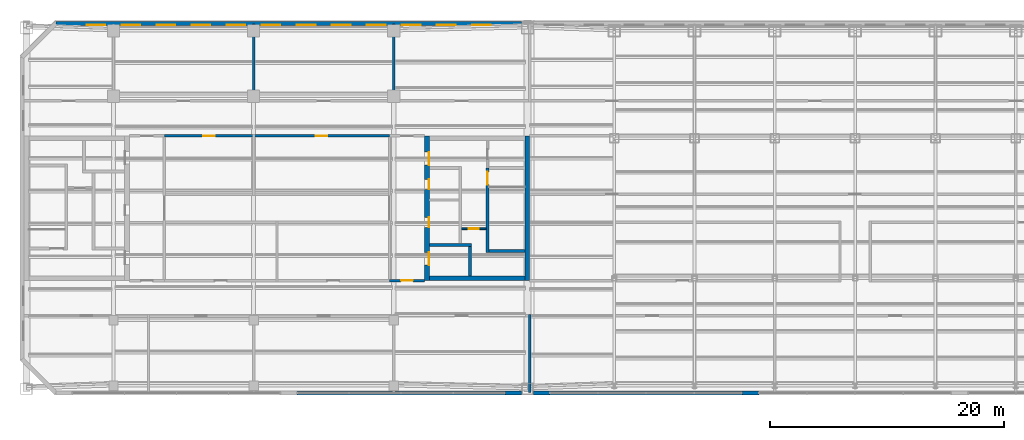
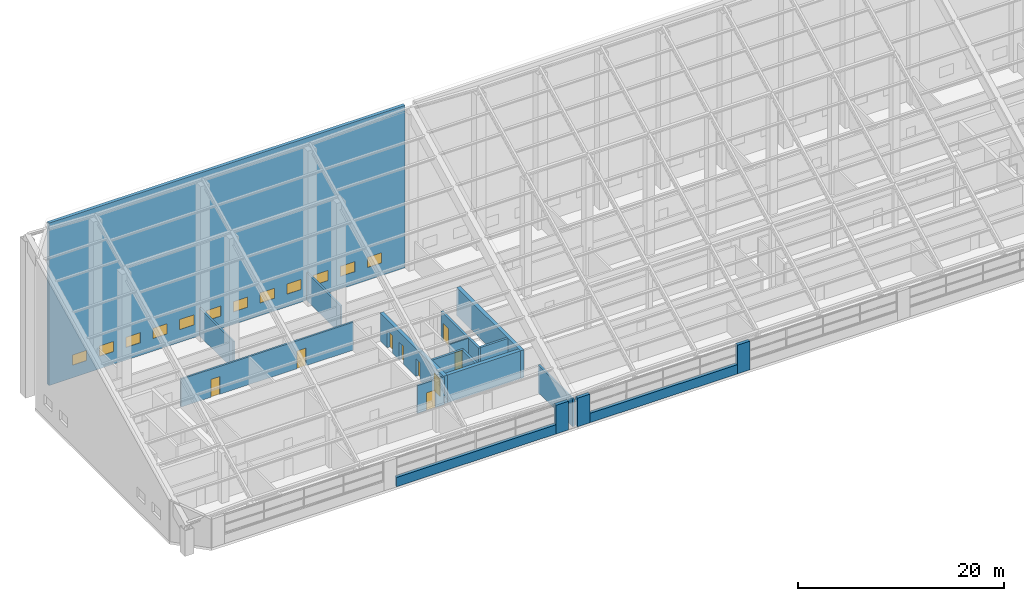
# One storey, part 20 of 28: 19 walls, 12 windows, 9 doors, 21 openings.
"""IFC4 building model written with IfcOpenShell, lengths in metres."""

from ifc_helpers import new_model, si_unit, direction, frame, frame_2d, origin, place, context, subcontext, project, spatial, rectangle, extrude, material, layer, layer_set, type_object, element, fill, save


model = new_model("IFC4")

# Units and contexts
model_context = context("Model", 3, precision=1e-05, world=origin(), true_north=direction((0.0, 1.0)))
body_context = subcontext(model_context, "Body", "Model", "MODEL_VIEW")
ifc_project = project(units=[si_unit("LENGTHUNIT", "METRE"), si_unit("AREAUNIT", "SQUARE_METRE"), si_unit("VOLUMEUNIT", "CUBIC_METRE"), si_unit("PLANEANGLEUNIT", "RADIAN"), si_unit("MASSUNIT", "GRAM", prefix="KILO")], contexts=[model_context])

# Site, building, storey
site_placement = place(None, origin())
site = spatial("IfcSite", under=ifc_project, at=site_placement, CompositionType="ELEMENT")
building_placement = place(site_placement, origin())
building = spatial("IfcBuilding", under=site, at=building_placement, Name="Tuart Gate Housing", CompositionType="ELEMENT")
storey_placement = place(building_placement, frame((0.0, 0.0, 243.89990234375)))
storey = spatial("IfcBuildingStorey", under=building, at=storey_placement, Name="L68", CompositionType="ELEMENT", Elevation=243.89990234375)

# Walls
ifc_material_1 = material(Name="Brick", Category="masonry")
ifc_layer_1 = layer(ifc_material_1, 0.360107421875)
ifc_layer_set_1 = layer_set([ifc_layer_1], Name="Brick pier and spandrel wall 360")
wall_type_1 = type_object("IfcWallType", Name="Brick pier and spandrel wall 360", PredefinedType="STANDARD", material=ifc_layer_set_1)
wall_1_placement = place(storey_placement, frame((55.71240234375, 54.179931640625, 0.0), z_axis=(0.0, 0.0, 1.0), x_axis=(1.0, 0.0, 0.0)))
element("IfcWall", 1, at=wall_1_placement, inside=storey, type_object=wall_type_1, Name="Crown sill wall 2", PredefinedType="STANDARD", context=body_context, shape_type="SweptSolid", body=[
    extrude(rectangle(XDim=17.837646484375, YDim=0.360107421875, at=frame_2d((8.9189453125, 0.0))), origin(), (0.0, 0.0, 1.0), 1.10009765625),
])
wall_2_placement = place(storey_placement, frame((73.550048828125, 54.179931640625, 0.0), z_axis=(0.0, 0.0, 1.0), x_axis=(1.0, 0.0, 0.0)))
element("IfcWall", 2, at=wall_2_placement, inside=storey, type_object=wall_type_1, Name="Crown pier 3", PredefinedType="STANDARD", context=body_context, shape_type="SweptSolid", body=[
    extrude(rectangle(XDim=1.39990234375, YDim=0.360107421875, at=frame_2d((0.699951171875, 0.0))), origin(), (0.0, 0.0, 1.0), 3.39013671875),
])
wall_3_placement = place(storey_placement, frame((75.949951171875, 54.179931640625, 0.0), z_axis=(0.0, 0.0, 1.0), x_axis=(1.0, 0.0, 0.0)))
element("IfcWall", 3, at=wall_3_placement, inside=storey, type_object=wall_type_1, Name="Crown pier 1", PredefinedType="STANDARD", context=body_context, shape_type="SweptSolid", body=[
    extrude(rectangle(XDim=1.400146484375, YDim=0.360107421875, at=frame_2d((0.7001953125, 0.0))), origin(), (0.0, 0.0, 1.0), 3.39013671875),
])
wall_4_placement = place(storey_placement, frame((77.35009765625, 54.179931640625, 0.0), z_axis=(0.0, 0.0, 1.0), x_axis=(1.0, 0.0, 0.0)))
element("IfcWall", 4, at=wall_4_placement, inside=storey, type_object=wall_type_1, Name="Crown sill wall 1", PredefinedType="STANDARD", context=body_context, shape_type="SweptSolid", body=[
    extrude(rectangle(XDim=16.5, YDim=0.360107421875, at=frame_2d((8.25, 0.0))), origin(), (0.0, 0.0, 1.0), 1.10009765625),
])
wall_5_placement = place(storey_placement, frame((93.85009765625, 54.179931640625, 0.0), z_axis=(0.0, 0.0, 1.0), x_axis=(1.0, 0.0, 0.0)))
element("IfcWall", 5, at=wall_5_placement, inside=storey, type_object=wall_type_1, Name="Crown pier 2", PredefinedType="STANDARD", context=body_context, shape_type="SweptSolid", body=[
    extrude(rectangle(XDim=1.39990234375, YDim=0.360107421875, at=frame_2d((0.699951171875, 0.0))), origin(), (0.0, 0.0, 1.0), 3.39013671875),
])

# Wall, openings, windows
wall_6_placement = place(storey_placement, frame((74.925048828125, 85.820068359375, 0.0), z_axis=(0.0, 0.0, 1.0), x_axis=(-1.0, 0.0, 0.0)))
wall_6 = element("IfcWall", 6, at=wall_6_placement, inside=storey, type_object=wall_type_1, Name="Crown cladding wall BLK-N", PredefinedType="STANDARD", context=body_context, shape_type="SweptSolid", body=[
    extrude(rectangle(XDim=39.8505859375, YDim=0.360107421875, at=frame_2d((19.92529296875, 0.0))), origin(), (0.0, 0.0, 1.0), 19.210205078125),
])
opening_1_placement = place(wall_6_placement, frame((35.625, 0.0, 1.5)))
opening_1 = element("IfcOpeningElement", 7, at=opening_1_placement, cuts=wall_6, Name="Opening W3", PredefinedType="OPENING", context=body_context, shape_type="SweptSolid", body=[
    extrude(rectangle(XDim=1.60009765625, YDim=1.199951171875, at=frame_2d((0.800048828125, 0.60009765625))), frame((0.0, 0.18994140625, 0.0), z_axis=(0.0, -1.0, 0.0), x_axis=(1.0, 0.0, 0.0)), (0.0, 0.0, 1.0), 0.380126953125),
])
opening_2_placement = place(wall_6_placement, frame((32.625, 0.0, 1.5)))
opening_2 = element("IfcOpeningElement", 8, at=opening_2_placement, cuts=wall_6, Name="Opening W3", PredefinedType="OPENING", context=body_context, shape_type="SweptSolid", body=[
    extrude(rectangle(XDim=1.60009765625, YDim=1.199951171875, at=frame_2d((0.800048828125, 0.60009765625))), frame((0.0, 0.18994140625, 0.0), z_axis=(0.0, -1.0, 0.0), x_axis=(1.0, 0.0, 0.0)), (0.0, 0.0, 1.0), 0.380126953125),
])
opening_3_placement = place(wall_6_placement, frame((29.625, 0.0, 1.5)))
opening_3 = element("IfcOpeningElement", 9, at=opening_3_placement, cuts=wall_6, Name="Opening W3", PredefinedType="OPENING", context=body_context, shape_type="SweptSolid", body=[
    extrude(rectangle(XDim=1.60009765625, YDim=1.199951171875, at=frame_2d((0.800048828125, 0.60009765625))), frame((0.0, 0.18994140625, 0.0), z_axis=(0.0, -1.0, 0.0), x_axis=(1.0, 0.0, 0.0)), (0.0, 0.0, 1.0), 0.380126953125),
])
opening_4_placement = place(wall_6_placement, frame((26.625, 0.0, 1.5)))
opening_4 = element("IfcOpeningElement", 10, at=opening_4_placement, cuts=wall_6, Name="Opening W3", PredefinedType="OPENING", context=body_context, shape_type="SweptSolid", body=[
    extrude(rectangle(XDim=1.60009765625, YDim=1.199951171875, at=frame_2d((0.800048828125, 0.60009765625))), frame((0.0, 0.18994140625, 0.0), z_axis=(0.0, -1.0, 0.0), x_axis=(1.0, 0.0, 0.0)), (0.0, 0.0, 1.0), 0.380126953125),
])
opening_5_placement = place(wall_6_placement, frame((23.625, 0.0, 1.5)))
opening_5 = element("IfcOpeningElement", 11, at=opening_5_placement, cuts=wall_6, Name="Opening W3", PredefinedType="OPENING", context=body_context, shape_type="SweptSolid", body=[
    extrude(rectangle(XDim=1.60009765625, YDim=1.199951171875, at=frame_2d((0.800048828125, 0.60009765625))), frame((0.0, 0.18994140625, 0.0), z_axis=(0.0, -1.0, 0.0), x_axis=(1.0, 0.0, 0.0)), (0.0, 0.0, 1.0), 0.380126953125),
])
opening_6_placement = place(wall_6_placement, frame((20.625, 0.0, 1.5)))
opening_6 = element("IfcOpeningElement", 12, at=opening_6_placement, cuts=wall_6, Name="Opening W3", PredefinedType="OPENING", context=body_context, shape_type="SweptSolid", body=[
    extrude(rectangle(XDim=1.60009765625, YDim=1.199951171875, at=frame_2d((0.800048828125, 0.60009765625))), frame((0.0, 0.18994140625, 0.0), z_axis=(0.0, -1.0, 0.0), x_axis=(1.0, 0.0, 0.0)), (0.0, 0.0, 1.0), 0.380126953125),
])
opening_7_placement = place(wall_6_placement, frame((17.625, 0.0, 1.5)))
opening_7 = element("IfcOpeningElement", 13, at=opening_7_placement, cuts=wall_6, Name="Opening W3", PredefinedType="OPENING", context=body_context, shape_type="SweptSolid", body=[
    extrude(rectangle(XDim=1.60009765625, YDim=1.199951171875, at=frame_2d((0.800048828125, 0.60009765625))), frame((0.0, 0.18994140625, 0.0), z_axis=(0.0, -1.0, 0.0), x_axis=(1.0, 0.0, 0.0)), (0.0, 0.0, 1.0), 0.380126953125),
])
opening_8_placement = place(wall_6_placement, frame((14.625, 0.0, 1.5)))
opening_8 = element("IfcOpeningElement", 14, at=opening_8_placement, cuts=wall_6, Name="Opening W3", PredefinedType="OPENING", context=body_context, shape_type="SweptSolid", body=[
    extrude(rectangle(XDim=1.60009765625, YDim=1.199951171875, at=frame_2d((0.800048828125, 0.60009765625))), frame((0.0, 0.18994140625, 0.0), z_axis=(0.0, -1.0, 0.0), x_axis=(1.0, 0.0, 0.0)), (0.0, 0.0, 1.0), 0.380126953125),
])
opening_9_placement = place(wall_6_placement, frame((11.625, 0.0, 1.5)))
opening_9 = element("IfcOpeningElement", 15, at=opening_9_placement, cuts=wall_6, Name="Opening W3", PredefinedType="OPENING", context=body_context, shape_type="SweptSolid", body=[
    extrude(rectangle(XDim=1.60009765625, YDim=1.199951171875, at=frame_2d((0.800048828125, 0.60009765625))), frame((0.0, 0.18994140625, 0.0), z_axis=(0.0, -1.0, 0.0), x_axis=(1.0, 0.0, 0.0)), (0.0, 0.0, 1.0), 0.380126953125),
])
opening_10_placement = place(wall_6_placement, frame((8.625, 0.0, 1.5)))
opening_10 = element("IfcOpeningElement", 16, at=opening_10_placement, cuts=wall_6, Name="Opening W3", PredefinedType="OPENING", context=body_context, shape_type="SweptSolid", body=[
    extrude(rectangle(XDim=1.60009765625, YDim=1.199951171875, at=frame_2d((0.800048828125, 0.60009765625))), frame((0.0, 0.18994140625, 0.0), z_axis=(0.0, -1.0, 0.0), x_axis=(1.0, 0.0, 0.0)), (0.0, 0.0, 1.0), 0.380126953125),
])
opening_11_placement = place(wall_6_placement, frame((5.625, 0.0, 1.5)))
opening_11 = element("IfcOpeningElement", 17, at=opening_11_placement, cuts=wall_6, Name="Opening W3", PredefinedType="OPENING", context=body_context, shape_type="SweptSolid", body=[
    extrude(rectangle(XDim=1.60009765625, YDim=1.199951171875, at=frame_2d((0.800048828125, 0.60009765625))), frame((0.0, 0.18994140625, 0.0), z_axis=(0.0, -1.0, 0.0), x_axis=(1.0, 0.0, 0.0)), (0.0, 0.0, 1.0), 0.380126953125),
])
opening_12_placement = place(wall_6_placement, frame((2.625, 0.0, 1.5)))
opening_12 = element("IfcOpeningElement", 18, at=opening_12_placement, cuts=wall_6, Name="Opening W3", PredefinedType="OPENING", context=body_context, shape_type="SweptSolid", body=[
    extrude(rectangle(XDim=1.60009765625, YDim=1.199951171875, at=frame_2d((0.800048828125, 0.60009765625))), frame((0.0, 0.18994140625, 0.0), z_axis=(0.0, -1.0, 0.0), x_axis=(1.0, 0.0, 0.0)), (0.0, 0.0, 1.0), 0.380126953125),
])
ifc_material_2 = material(Name="Aluminium louvre blades", Category="aluminium")
window_type = type_object("IfcWindowType", Name="Louvre window 1600 x 1200", PartitioningType="DOUBLE_PANEL_HORIZONTAL", PredefinedType="WINDOW", material=ifc_material_2)
window_1_placement = place(opening_1_placement, origin())
window_1 = element("IfcWindow", 19, at=window_1_placement, inside=storey, type_object=window_type, Name="Louvre W3", OverallHeight=1.199951171875, OverallWidth=1.60009765625, PartitioningType="DOUBLE_PANEL_HORIZONTAL", PredefinedType="WINDOW", context=body_context, shape_type="SweptSolid", body=[
    extrude(rectangle(XDim=1.60009765625, YDim=1.199951171875, at=frame_2d((0.800048828125, 0.60009765625))), frame((0.0, 0.150146484375, 0.0), z_axis=(0.0, -1.0, 0.0), x_axis=(1.0, 0.0, 0.0)), (0.0, 0.0, 1.0), 0.06005859375),
])
fill(opening_1, window_1)
window_2_placement = place(opening_2_placement, origin())
window_2 = element("IfcWindow", 20, at=window_2_placement, inside=storey, type_object=window_type, Name="Louvre W3", OverallHeight=1.199951171875, OverallWidth=1.60009765625, PartitioningType="DOUBLE_PANEL_HORIZONTAL", PredefinedType="WINDOW", context=body_context, shape_type="SweptSolid", body=[
    extrude(rectangle(XDim=1.60009765625, YDim=1.199951171875, at=frame_2d((0.800048828125, 0.60009765625))), frame((0.0, 0.150146484375, 0.0), z_axis=(0.0, -1.0, 0.0), x_axis=(1.0, 0.0, 0.0)), (0.0, 0.0, 1.0), 0.06005859375),
])
fill(opening_2, window_2)
window_3_placement = place(opening_3_placement, origin())
window_3 = element("IfcWindow", 21, at=window_3_placement, inside=storey, type_object=window_type, Name="Louvre W3", OverallHeight=1.199951171875, OverallWidth=1.60009765625, PartitioningType="DOUBLE_PANEL_HORIZONTAL", PredefinedType="WINDOW", context=body_context, shape_type="SweptSolid", body=[
    extrude(rectangle(XDim=1.60009765625, YDim=1.199951171875, at=frame_2d((0.800048828125, 0.60009765625))), frame((0.0, 0.150146484375, 0.0), z_axis=(0.0, -1.0, 0.0), x_axis=(1.0, 0.0, 0.0)), (0.0, 0.0, 1.0), 0.06005859375),
])
fill(opening_3, window_3)
window_4_placement = place(opening_4_placement, origin())
window_4 = element("IfcWindow", 22, at=window_4_placement, inside=storey, type_object=window_type, Name="Louvre W3", OverallHeight=1.199951171875, OverallWidth=1.60009765625, PartitioningType="DOUBLE_PANEL_HORIZONTAL", PredefinedType="WINDOW", context=body_context, shape_type="SweptSolid", body=[
    extrude(rectangle(XDim=1.60009765625, YDim=1.199951171875, at=frame_2d((0.800048828125, 0.60009765625))), frame((0.0, 0.150146484375, 0.0), z_axis=(0.0, -1.0, 0.0), x_axis=(1.0, 0.0, 0.0)), (0.0, 0.0, 1.0), 0.06005859375),
])
fill(opening_4, window_4)
window_5_placement = place(opening_5_placement, origin())
window_5 = element("IfcWindow", 23, at=window_5_placement, inside=storey, type_object=window_type, Name="Louvre W3", OverallHeight=1.199951171875, OverallWidth=1.60009765625, PartitioningType="DOUBLE_PANEL_HORIZONTAL", PredefinedType="WINDOW", context=body_context, shape_type="SweptSolid", body=[
    extrude(rectangle(XDim=1.60009765625, YDim=1.199951171875, at=frame_2d((0.800048828125, 0.60009765625))), frame((0.0, 0.150146484375, 0.0), z_axis=(0.0, -1.0, 0.0), x_axis=(1.0, 0.0, 0.0)), (0.0, 0.0, 1.0), 0.06005859375),
])
fill(opening_5, window_5)
window_6_placement = place(opening_6_placement, origin())
window_6 = element("IfcWindow", 24, at=window_6_placement, inside=storey, type_object=window_type, Name="Louvre W3", OverallHeight=1.199951171875, OverallWidth=1.60009765625, PartitioningType="DOUBLE_PANEL_HORIZONTAL", PredefinedType="WINDOW", context=body_context, shape_type="SweptSolid", body=[
    extrude(rectangle(XDim=1.60009765625, YDim=1.199951171875, at=frame_2d((0.800048828125, 0.60009765625))), frame((0.0, 0.150146484375, 0.0), z_axis=(0.0, -1.0, 0.0), x_axis=(1.0, 0.0, 0.0)), (0.0, 0.0, 1.0), 0.06005859375),
])
fill(opening_6, window_6)
window_7_placement = place(opening_7_placement, origin())
window_7 = element("IfcWindow", 25, at=window_7_placement, inside=storey, type_object=window_type, Name="Louvre W3", OverallHeight=1.199951171875, OverallWidth=1.60009765625, PartitioningType="DOUBLE_PANEL_HORIZONTAL", PredefinedType="WINDOW", context=body_context, shape_type="SweptSolid", body=[
    extrude(rectangle(XDim=1.60009765625, YDim=1.199951171875, at=frame_2d((0.800048828125, 0.60009765625))), frame((0.0, 0.150146484375, 0.0), z_axis=(0.0, -1.0, 0.0), x_axis=(1.0, 0.0, 0.0)), (0.0, 0.0, 1.0), 0.06005859375),
])
fill(opening_7, window_7)
window_8_placement = place(opening_8_placement, origin())
window_8 = element("IfcWindow", 26, at=window_8_placement, inside=storey, type_object=window_type, Name="Louvre W3", OverallHeight=1.199951171875, OverallWidth=1.60009765625, PartitioningType="DOUBLE_PANEL_HORIZONTAL", PredefinedType="WINDOW", context=body_context, shape_type="SweptSolid", body=[
    extrude(rectangle(XDim=1.60009765625, YDim=1.199951171875, at=frame_2d((0.800048828125, 0.60009765625))), frame((0.0, 0.150146484375, 0.0), z_axis=(0.0, -1.0, 0.0), x_axis=(1.0, 0.0, 0.0)), (0.0, 0.0, 1.0), 0.06005859375),
])
fill(opening_8, window_8)
window_9_placement = place(opening_9_placement, origin())
window_9 = element("IfcWindow", 27, at=window_9_placement, inside=storey, type_object=window_type, Name="Louvre W3", OverallHeight=1.199951171875, OverallWidth=1.60009765625, PartitioningType="DOUBLE_PANEL_HORIZONTAL", PredefinedType="WINDOW", context=body_context, shape_type="SweptSolid", body=[
    extrude(rectangle(XDim=1.60009765625, YDim=1.199951171875, at=frame_2d((0.800048828125, 0.60009765625))), frame((0.0, 0.150146484375, 0.0), z_axis=(0.0, -1.0, 0.0), x_axis=(1.0, 0.0, 0.0)), (0.0, 0.0, 1.0), 0.06005859375),
])
fill(opening_9, window_9)
window_10_placement = place(opening_10_placement, origin())
window_10 = element("IfcWindow", 28, at=window_10_placement, inside=storey, type_object=window_type, Name="Louvre W3", OverallHeight=1.199951171875, OverallWidth=1.60009765625, PartitioningType="DOUBLE_PANEL_HORIZONTAL", PredefinedType="WINDOW", context=body_context, shape_type="SweptSolid", body=[
    extrude(rectangle(XDim=1.60009765625, YDim=1.199951171875, at=frame_2d((0.800048828125, 0.60009765625))), frame((0.0, 0.150146484375, 0.0), z_axis=(0.0, -1.0, 0.0), x_axis=(1.0, 0.0, 0.0)), (0.0, 0.0, 1.0), 0.06005859375),
])
fill(opening_10, window_10)
window_11_placement = place(opening_11_placement, origin())
window_11 = element("IfcWindow", 29, at=window_11_placement, inside=storey, type_object=window_type, Name="Louvre W3", OverallHeight=1.199951171875, OverallWidth=1.60009765625, PartitioningType="DOUBLE_PANEL_HORIZONTAL", PredefinedType="WINDOW", context=body_context, shape_type="SweptSolid", body=[
    extrude(rectangle(XDim=1.60009765625, YDim=1.199951171875, at=frame_2d((0.800048828125, 0.60009765625))), frame((0.0, 0.150146484375, 0.0), z_axis=(0.0, -1.0, 0.0), x_axis=(1.0, 0.0, 0.0)), (0.0, 0.0, 1.0), 0.06005859375),
])
fill(opening_11, window_11)
window_12_placement = place(opening_12_placement, origin())
window_12 = element("IfcWindow", 30, at=window_12_placement, inside=storey, type_object=window_type, Name="Louvre W3", OverallHeight=1.199951171875, OverallWidth=1.60009765625, PartitioningType="DOUBLE_PANEL_HORIZONTAL", PredefinedType="WINDOW", context=body_context, shape_type="SweptSolid", body=[
    extrude(rectangle(XDim=1.60009765625, YDim=1.199951171875, at=frame_2d((0.800048828125, 0.60009765625))), frame((0.0, 0.150146484375, 0.0), z_axis=(0.0, -1.0, 0.0), x_axis=(1.0, 0.0, 0.0)), (0.0, 0.0, 1.0), 0.06005859375),
])
fill(opening_12, window_12)

# Wall, opening, door
ifc_material_3 = material(Name="Plasterboard partition")
ifc_layer_2 = layer(ifc_material_3, 0.14990234375)
ifc_layer_set_2 = layer_set([ifc_layer_2], Name="Core partition 150")
wall_type_2 = type_object("IfcWallType", Name="Core partition 150", PredefinedType="PARTITIONING", material=ifc_layer_set_2)
wall_7_placement = place(storey_placement, frame((69.81494140625, 68.25, 0.0), z_axis=(0.0, 0.0, 1.0), x_axis=(1.0, 0.0, 0.0)))
wall_7 = element("IfcWall", 31, at=wall_7_placement, inside=storey, type_object=wall_type_2, Name="Core partition AG.3", PredefinedType="PARTITIONING", context=body_context, shape_type="SweptSolid", body=[
    extrude(rectangle(XDim=2.10009765625, YDim=0.14990234375, at=frame_2d((1.050048828125, 0.0))), origin(), (0.0, 0.0, 1.0), 3.300048828125),
])
opening_13_placement = place(wall_7_placement, frame((0.625, 0.0, 0.0)))
opening_13 = element("IfcOpeningElement", 32, at=opening_13_placement, cuts=wall_7, Name="Opening D3259", PredefinedType="OPENING", context=body_context, shape_type="SweptSolid", body=[
    extrude(rectangle(XDim=0.85009765625, YDim=2.10009765625, at=frame_2d((0.425048828125, 1.050048828125))), frame((0.0, 0.0849609375, 0.0), z_axis=(0.0, -1.0, 0.0), x_axis=(1.0, 0.0, 0.0)), (0.0, 0.0, 1.0), 0.169921875),
])
ifc_material_4 = material(Name="Steel fire door", Category="steel")
door_type_1 = type_object("IfcDoorType", Name="Riser door 850 x 2100 RH", OperationType="SINGLE_SWING_RIGHT", PredefinedType="DOOR", material=ifc_material_4)
door_1_placement = place(opening_13_placement, frame((0.85009765625, 0.0, 0.0), z_axis=(0.0, 0.0, 1.0), x_axis=(-1.0, 0.0, 0.0)))
door_1 = element("IfcDoor", 33, at=door_1_placement, inside=storey, type_object=door_type_1, Name="Service room door AG.E1", OperationType="SINGLE_SWING_RIGHT", OverallHeight=2.10009765625, OverallWidth=0.85009765625, PredefinedType="DOOR", context=body_context, shape_type="SweptSolid", body=[
    extrude(rectangle(XDim=0.85009765625, YDim=2.10009765625, at=frame_2d((0.425048828125, 1.050048828125))), frame((0.0, 0.025146484375, 0.0), z_axis=(0.0, -1.0, 0.0), x_axis=(1.0, 0.0, 0.0)), (0.0, 0.0, 1.0), 0.050048828125),
])
fill(opening_13, door_1)

# Walls
ifc_material_5 = material(Name="Concrete C40", Category="concrete")
ifc_layer_3 = layer(ifc_material_5, 0.25)
ifc_layer_set_3 = layer_set([ifc_layer_3], Name="Core wall 250 C40")
wall_type_3 = type_object("IfcWallType", Name="Core wall 250 C40", PredefinedType="SHEAR", material=ifc_layer_set_3)
wall_8_placement = place(storey_placement, frame((72.1650390625, 66.35009765625, 0.0), z_axis=(0.0, 0.0, 1.0), x_axis=(1.0, 0.0, 0.0)))
element("IfcWall", 34, at=wall_8_placement, inside=storey, type_object=wall_type_3, Name="Core wall AG.1", PredefinedType="SHEAR", context=body_context, shape_type="SweptSolid", body=[
    extrude(rectangle(XDim=3.074951171875, YDim=0.25, at=frame_2d((1.53759765625, 0.0))), origin(), (0.0, 0.0, 1.0), 3.300048828125),
])
wall_9_placement = place(storey_placement, frame((67.0400390625, 66.85009765625, 0.0), z_axis=(0.0, 0.0, 1.0), x_axis=(1.0, 0.0, 0.0)))
element("IfcWall", 35, at=wall_9_placement, inside=storey, type_object=wall_type_3, Name="Core wall AG.2", PredefinedType="SHEAR", context=body_context, shape_type="SweptSolid", body=[
    extrude(rectangle(XDim=3.594970703125, YDim=0.25, at=frame_2d((1.79736328125, 0.0))), origin(), (0.0, 0.0, 1.0), 3.300048828125),
])
wall_10_placement = place(storey_placement, frame((70.510009765625, 64.199951171875, 0.0), z_axis=(0.0, 0.0, 1.0), x_axis=(0.0, 1.0, 0.0)))
element("IfcWall", 36, at=wall_10_placement, inside=storey, type_object=wall_type_3, Name="Core wall AG.8", PredefinedType="SHEAR", context=body_context, shape_type="SweptSolid", body=[
    extrude(rectangle(XDim=2.525146484375, YDim=0.25, at=frame_2d((1.2626953125, 0.0))), origin(), (0.0, 0.0, 1.0), 3.300048828125),
])

# Wall, opening, door
wall_11_placement = place(storey_placement, frame((72.0400390625, 66.22509765625, 0.0), z_axis=(0.0, 0.0, 1.0), x_axis=(0.0, 1.0, 0.0)))
wall_11 = element("IfcWall", 37, at=wall_11_placement, inside=storey, type_object=wall_type_3, Name="Core wall AG.9", PredefinedType="SHEAR", context=body_context, shape_type="SweptSolid", body=[
    extrude(rectangle(XDim=7.224853515625, YDim=0.25, at=frame_2d((3.6123046875, 0.0))), origin(), (0.0, 0.0, 1.0), 3.300048828125),
])
opening_14_placement = place(wall_11_placement, frame((5.800048828125, 0.0, 0.0)))
opening_14 = element("IfcOpeningElement", 38, at=opening_14_placement, cuts=wall_11, Name="Opening D3258", PredefinedType="OPENING", context=body_context, shape_type="SweptSolid", body=[
    extrude(rectangle(XDim=1.10009765625, YDim=2.10009765625, at=frame_2d((0.550048828125, 1.050048828125))), frame((0.0, 0.135009765625, 0.0), z_axis=(0.0, -1.0, 0.0), x_axis=(1.0, 0.0, 0.0)), (0.0, 0.0, 1.0), 0.27001953125),
])
ifc_material_6 = material(Name="Steel fire door", Category="steel")
door_type_2 = type_object("IfcDoorType", Name="Stair door 1100 x 2100", OperationType="SINGLE_SWING_LEFT", PredefinedType="DOOR", material=ifc_material_6)
door_2_placement = place(opening_14_placement, frame((1.10009765625, 0.0, 0.0), z_axis=(0.0, 0.0, 1.0), x_axis=(-1.0, 0.0, 0.0)))
door_2 = element("IfcDoor", 39, at=door_2_placement, inside=storey, type_object=door_type_2, Name="Stair door AG.SD", OperationType="SINGLE_SWING_LEFT", OverallHeight=2.10009765625, OverallWidth=1.10009765625, PredefinedType="DOOR", context=body_context, shape_type="SweptSolid", body=[
    extrude(rectangle(XDim=1.10009765625, YDim=2.10009765625, at=frame_2d((0.550048828125, 1.050048828125))), frame((0.0, 0.025146484375, 0.0), z_axis=(0.0, -1.0, 0.0), x_axis=(1.0, 0.0, 0.0)), (0.0, 0.0, 1.0), 0.050048828125),
])
fill(opening_14, door_2)

# Wall, openings, doors
ifc_material_7 = material(Name="Concrete C40", Category="concrete")
ifc_layer_4 = layer(ifc_material_7, 0.39990234375)
ifc_layer_set_4 = layer_set([ifc_layer_4], Name="Core wall 400 C40")
wall_type_4 = type_object("IfcWallType", Name="Core wall 400 C40", PredefinedType="SHEAR", material=ifc_layer_set_4)
wall_12_placement = place(storey_placement, frame((66.840087890625, 63.800048828125, 0.0), z_axis=(0.0, 0.0, 1.0), x_axis=(0.0, 1.0, 0.0)))
wall_12 = element("IfcWall", 40, at=wall_12_placement, inside=storey, type_object=wall_type_4, Name="Core wall AG front", PredefinedType="SHEAR", context=body_context, shape_type="SweptSolid", body=[
    extrude(rectangle(XDim=12.39990234375, YDim=0.39990234375, at=frame_2d((6.199951171875, 0.0))), origin(), (0.0, 0.0, 1.0), 3.300048828125),
])
opening_15_placement = place(wall_12_placement, frame((1.324951171875, 0.0, 0.0)))
opening_15 = element("IfcOpeningElement", 41, at=opening_15_placement, cuts=wall_12, Name="Opening LD-FA1", PredefinedType="OPENING", context=body_context, shape_type="SweptSolid", body=[
    extrude(rectangle(XDim=1.10009765625, YDim=2.10009765625, at=frame_2d((0.550048828125, 1.050048828125))), frame((0.0, 0.2099609375, 0.0), z_axis=(0.0, -1.0, 0.0), x_axis=(1.0, 0.0, 0.0)), (0.0, 0.0, 1.0), 0.419921875),
])
opening_16_placement = place(wall_12_placement, frame((4.574951171875, 0.0, 0.0)))
opening_16 = element("IfcOpeningElement", 42, at=opening_16_placement, cuts=wall_12, Name="Opening D3256", PredefinedType="OPENING", context=body_context, shape_type="SweptSolid", body=[
    extrude(rectangle(XDim=0.85009765625, YDim=2.10009765625, at=frame_2d((0.425048828125, 1.050048828125))), frame((0.0, 0.2099609375, 0.0), z_axis=(0.0, -1.0, 0.0), x_axis=(1.0, 0.0, 0.0)), (0.0, 0.0, 1.0), 0.419921875),
])
opening_17_placement = place(wall_12_placement, frame((7.824951171875, 0.0, 0.0)))
opening_17 = element("IfcOpeningElement", 43, at=opening_17_placement, cuts=wall_12, Name="Opening D3257", PredefinedType="OPENING", context=body_context, shape_type="SweptSolid", body=[
    extrude(rectangle(XDim=0.85009765625, YDim=2.10009765625, at=frame_2d((0.425048828125, 1.050048828125))), frame((0.0, 0.2099609375, 0.0), z_axis=(0.0, -1.0, 0.0), x_axis=(1.0, 0.0, 0.0)), (0.0, 0.0, 1.0), 0.419921875),
])
opening_18_placement = place(wall_12_placement, frame((9.89990234375, 0.0, 0.0)))
opening_18 = element("IfcOpeningElement", 44, at=opening_18_placement, cuts=wall_12, Name="Opening D3255", PredefinedType="OPENING", context=body_context, shape_type="SweptSolid", body=[
    extrude(rectangle(XDim=1.10009765625, YDim=2.10009765625, at=frame_2d((0.550048828125, 1.050048828125))), frame((0.0, 0.2099609375, 0.0), z_axis=(0.0, -1.0, 0.0), x_axis=(1.0, 0.0, 0.0)), (0.0, 0.0, 1.0), 0.419921875),
])
ifc_material_8 = material(Name="Stainless steel", Category="steel")
door_type_3 = type_object("IfcDoorType", Name="Landing door 1100 x 2100", OperationType="DOUBLE_DOOR_SLIDING", PredefinedType="DOOR", material=ifc_material_8)
door_3_placement = place(opening_15_placement, origin())
door_3 = element("IfcDoor", 45, at=door_3_placement, inside=storey, type_object=door_type_3, Name="Lift landing door FA1", OperationType="DOUBLE_DOOR_SLIDING", OverallHeight=2.10009765625, OverallWidth=1.10009765625, PredefinedType="DOOR", context=body_context, shape_type="SweptSolid", body=[
    extrude(rectangle(XDim=1.10009765625, YDim=2.10009765625, at=frame_2d((0.550048828125, 1.050048828125))), frame((0.0, -0.134765625, 0.0), z_axis=(0.0, -1.0, 0.0), x_axis=(1.0, 0.0, 0.0)), (0.0, 0.0, 1.0), 0.050048828125),
])
fill(opening_15, door_3)
ifc_material_9 = material(Name="Steel fire door", Category="steel")
door_type_4 = type_object("IfcDoorType", Name="Lobby door 1100 x 2100 RH", OperationType="SINGLE_SWING_RIGHT", PredefinedType="DOOR", material=ifc_material_9)
door_4_placement = place(opening_18_placement, frame((1.10009765625, 0.0, 0.0), z_axis=(0.0, 0.0, 1.0), x_axis=(-1.0, 0.0, 0.0)))
door_4 = element("IfcDoor", 46, at=door_4_placement, inside=storey, type_object=door_type_4, Name="Lobby entry door AG.EN", OperationType="SINGLE_SWING_RIGHT", OverallHeight=2.10009765625, OverallWidth=1.10009765625, PredefinedType="DOOR", context=body_context, shape_type="SweptSolid", body=[
    extrude(rectangle(XDim=1.10009765625, YDim=2.10009765625, at=frame_2d((0.550048828125, 1.050048828125))), frame((0.0, 0.184814453125, 0.0), z_axis=(0.0, -1.0, 0.0), x_axis=(1.0, 0.0, 0.0)), (0.0, 0.0, 1.0), 0.050048828125),
])
fill(opening_18, door_4)
ifc_material_10 = material(Name="Steel fire door", Category="steel")
door_type_5 = type_object("IfcDoorType", Name="Service door 850 x 2100 RH", OperationType="SINGLE_SWING_RIGHT", PredefinedType="DOOR", material=ifc_material_10)
door_5_placement = place(opening_16_placement, frame((0.85009765625, 0.0, 0.0), z_axis=(0.0, 0.0, 1.0), x_axis=(-1.0, 0.0, 0.0)))
door_5 = element("IfcDoor", 47, at=door_5_placement, inside=storey, type_object=door_type_5, Name="Service room door AG.FR1", OperationType="SINGLE_SWING_RIGHT", OverallHeight=2.10009765625, OverallWidth=0.85009765625, PredefinedType="DOOR", context=body_context, shape_type="SweptSolid", body=[
    extrude(rectangle(XDim=0.85009765625, YDim=2.10009765625, at=frame_2d((0.425048828125, 1.050048828125))), frame((0.0, 0.184814453125, 0.0), z_axis=(0.0, -1.0, 0.0), x_axis=(1.0, 0.0, 0.0)), (0.0, 0.0, 1.0), 0.050048828125),
])
fill(opening_16, door_5)
door_6_placement = place(opening_17_placement, frame((0.85009765625, 0.0, 0.0), z_axis=(0.0, 0.0, 1.0), x_axis=(-1.0, 0.0, 0.0)))
door_6 = element("IfcDoor", 48, at=door_6_placement, inside=storey, type_object=door_type_5, Name="Service room door AG.FR2", OperationType="SINGLE_SWING_RIGHT", OverallHeight=2.10009765625, OverallWidth=0.85009765625, PredefinedType="DOOR", context=body_context, shape_type="SweptSolid", body=[
    extrude(rectangle(XDim=0.85009765625, YDim=2.10009765625, at=frame_2d((0.425048828125, 1.050048828125))), frame((0.0, 0.184814453125, 0.0), z_axis=(0.0, -1.0, 0.0), x_axis=(1.0, 0.0, 0.0)), (0.0, 0.0, 1.0), 0.050048828125),
])
fill(opening_17, door_6)

# Walls
wall_13_placement = place(storey_placement, frame((75.43994140625, 63.800048828125, 0.0), z_axis=(0.0, 0.0, 1.0), x_axis=(0.0, 1.0, 0.0)))
element("IfcWall", 49, at=wall_13_placement, inside=storey, type_object=wall_type_4, Name="Core wall AG back", PredefinedType="SHEAR", context=body_context, shape_type="SweptSolid", body=[
    extrude(rectangle(XDim=12.39990234375, YDim=0.39990234375, at=frame_2d((6.199951171875, 0.0))), origin(), (0.0, 0.0, 1.0), 3.300048828125),
])
wall_14_placement = place(storey_placement, frame((67.0400390625, 64.0, 0.0), z_axis=(0.0, 0.0, 1.0), x_axis=(1.0, 0.0, 0.0)))
element("IfcWall", 50, at=wall_14_placement, inside=storey, type_object=wall_type_4, Name="Core wall AG south", PredefinedType="SHEAR", context=body_context, shape_type="SweptSolid", body=[
    extrude(rectangle(XDim=8.199951171875, YDim=0.39990234375, at=frame_2d((4.10009765625, 0.0))), origin(), (0.0, 0.0, 1.0), 3.300048828125),
])

# Wall, opening, door
ifc_material_11 = material(Name="Concrete masonry 15 MPa", Category="masonry")
ifc_layer_5 = layer(ifc_material_11, 0.199951171875)
ifc_layer_set_5 = layer_set([ifc_layer_5], Name="Enclosure wall masonry 200")
wall_type_5 = type_object("IfcWallType", Name="Enclosure wall masonry 200", PredefinedType="PARTITIONING", material=ifc_layer_set_5)
wall_15_placement = place(storey_placement, frame((63.639892578125, 63.800048828125, 0.0), z_axis=(0.0, 0.0, 1.0), x_axis=(1.0, 0.0, 0.0)))
wall_15 = element("IfcWall", 51, at=wall_15_placement, inside=storey, type_object=wall_type_5, Name="Enclosure wall masonry 200", PredefinedType="PARTITIONING", context=body_context, shape_type="SweptSolid", body=[
    extrude(rectangle(XDim=3.0, YDim=0.199951171875, at=frame_2d((1.5, 0.0))), origin(), (0.0, 0.0, 1.0), 3.300048828125),
])
opening_19_placement = place(wall_15_placement, frame((1.0, 0.0, 0.0)))
opening_19 = element("IfcOpeningElement", 52, at=opening_19_placement, cuts=wall_15, Name="Opening D3264", PredefinedType="OPENING", context=body_context, shape_type="SweptSolid", body=[
    extrude(rectangle(XDim=1.0, YDim=2.10009765625, at=frame_2d((0.5, 1.050048828125))), frame((0.0, 0.10986328125, 0.0), z_axis=(0.0, -1.0, 0.0), x_axis=(1.0, 0.0, 0.0)), (0.0, 0.0, 1.0), 0.219970703125),
])
ifc_material_12 = material(Name="Timber door leaf in steel frame", Category="steel")
door_type_6 = type_object("IfcDoorType", Name="Lobby door 1000", OperationType="SINGLE_SWING_LEFT", PredefinedType="DOOR", material=ifc_material_12)
door_7_placement = place(opening_19_placement, origin())
door_7 = element("IfcDoor", 53, at=door_7_placement, inside=storey, type_object=door_type_6, Name="Lobby door 1000", OperationType="SINGLE_SWING_LEFT", OverallHeight=2.10009765625, OverallWidth=1.0, PredefinedType="DOOR", context=body_context, shape_type="SweptSolid", body=[
    extrude(rectangle(XDim=1.0, YDim=2.10009765625, at=frame_2d((0.5, 1.050048828125))), frame((0.0, 0.02490234375, 0.0), z_axis=(0.0, -1.0, 0.0), x_axis=(1.0, 0.0, 0.0)), (0.0, 0.0, 1.0), 0.050048828125),
])
fill(opening_19, door_7)

# Wall, openings, doors
wall_16_placement = place(storey_placement, frame((44.360107421875, 76.199951171875, 0.0), z_axis=(0.0, 0.0, 1.0), x_axis=(1.0, 0.0, 0.0)))
wall_16 = element("IfcWall", 54, at=wall_16_placement, inside=storey, type_object=wall_type_5, Name="Enclosure wall masonry 200", PredefinedType="PARTITIONING", context=body_context, shape_type="SweptSolid", body=[
    extrude(rectangle(XDim=19.27978515625, YDim=0.199951171875, at=frame_2d((9.639892578125, 0.0))), origin(), (0.0, 0.0, 1.0), 3.300048828125),
])
opening_20_placement = place(wall_16_placement, frame((3.320068359375, 0.0, 0.0)))
opening_20 = element("IfcOpeningElement", 55, at=opening_20_placement, cuts=wall_16, Name="Opening D3246", PredefinedType="OPENING", context=body_context, shape_type="SweptSolid", body=[
    extrude(rectangle(XDim=1.0, YDim=2.10009765625, at=frame_2d((0.5, 1.050048828125))), frame((0.0, 0.10986328125, 0.0), z_axis=(0.0, -1.0, 0.0), x_axis=(1.0, 0.0, 0.0)), (0.0, 0.0, 1.0), 0.219970703125),
])
opening_21_placement = place(wall_16_placement, frame((12.9599609375, 0.0, 0.0)))
opening_21 = element("IfcOpeningElement", 56, at=opening_21_placement, cuts=wall_16, Name="Opening D3247", PredefinedType="OPENING", context=body_context, shape_type="SweptSolid", body=[
    extrude(rectangle(XDim=1.0, YDim=2.10009765625, at=frame_2d((0.5, 1.050048828125))), frame((0.0, 0.10986328125, 0.0), z_axis=(0.0, -1.0, 0.0), x_axis=(1.0, 0.0, 0.0)), (0.0, 0.0, 1.0), 0.219970703125),
])
ifc_material_13 = material(Name="Timber door leaf in steel frame", Category="steel")
door_type_7 = type_object("IfcDoorType", Name="Fire door 1000 RH", OperationType="SINGLE_SWING_RIGHT", PredefinedType="DOOR", material=ifc_material_13)
door_8_placement = place(opening_20_placement, frame((1.0, 0.0, 0.0), z_axis=(0.0, 0.0, 1.0), x_axis=(-1.0, 0.0, 0.0)))
door_8 = element("IfcDoor", 57, at=door_8_placement, inside=storey, type_object=door_type_7, Name="Fire door 1000", OperationType="SINGLE_SWING_RIGHT", OverallHeight=2.10009765625, OverallWidth=1.0, PredefinedType="DOOR", context=body_context, shape_type="SweptSolid", body=[
    extrude(rectangle(XDim=1.0, YDim=2.10009765625, at=frame_2d((0.5, 1.050048828125))), frame((0.0, 0.025146484375, 0.0), z_axis=(0.0, -1.0, 0.0), x_axis=(1.0, 0.0, 0.0)), (0.0, 0.0, 1.0), 0.050048828125),
])
fill(opening_20, door_8)
door_9_placement = place(opening_21_placement, frame((1.0, 0.0, 0.0), z_axis=(0.0, 0.0, 1.0), x_axis=(-1.0, 0.0, 0.0)))
door_9 = element("IfcDoor", 58, at=door_9_placement, inside=storey, type_object=door_type_7, Name="Fire door 1000", OperationType="SINGLE_SWING_RIGHT", OverallHeight=2.10009765625, OverallWidth=1.0, PredefinedType="DOOR", context=body_context, shape_type="SweptSolid", body=[
    extrude(rectangle(XDim=1.0, YDim=2.10009765625, at=frame_2d((0.5, 1.050048828125))), frame((0.0, 0.025146484375, 0.0), z_axis=(0.0, -1.0, 0.0), x_axis=(1.0, 0.0, 0.0)), (0.0, 0.0, 1.0), 0.050048828125),
])
fill(opening_21, door_9)

# Walls
for number, where, z_axis, x_axis, name in (
    (59, (52.0, 79.10009765625, 0.0), (0.0, 0.0, 1.0), (0.0, 1.0, 0.0), "Enclosure wall masonry 200"),
    (60, (64.0, 79.10009765625, 0.0), (0.0, 0.0, 1.0), (0.0, 1.0, 0.0), "Enclosure wall masonry 200"),
    (61, (75.639892578125, 54.239990234375, 0.0), (0.0, 0.0, 1.0), (0.0, 1.0, 0.0), "Enclosure wall masonry 200"),
):
    element("IfcWall", number, at=place(storey_placement, frame(where, z_axis=z_axis, x_axis=x_axis)), inside=storey, type_object=wall_type_5, Name=name, PredefinedType="PARTITIONING", context=body_context, shape_type="SweptSolid", body=[
        extrude(rectangle(XDim=6.659912109375, YDim=0.199951171875, at=frame_2d((3.330078125, 0.0))), origin(), (0.0, 0.0, 1.0), 3.300048828125),
    ])

save(model, "model.ifc")
